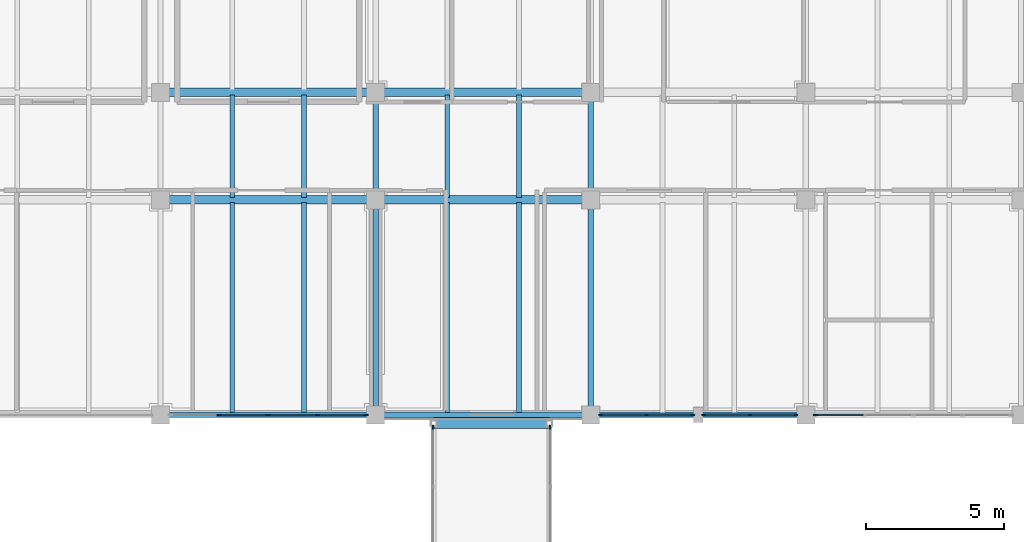
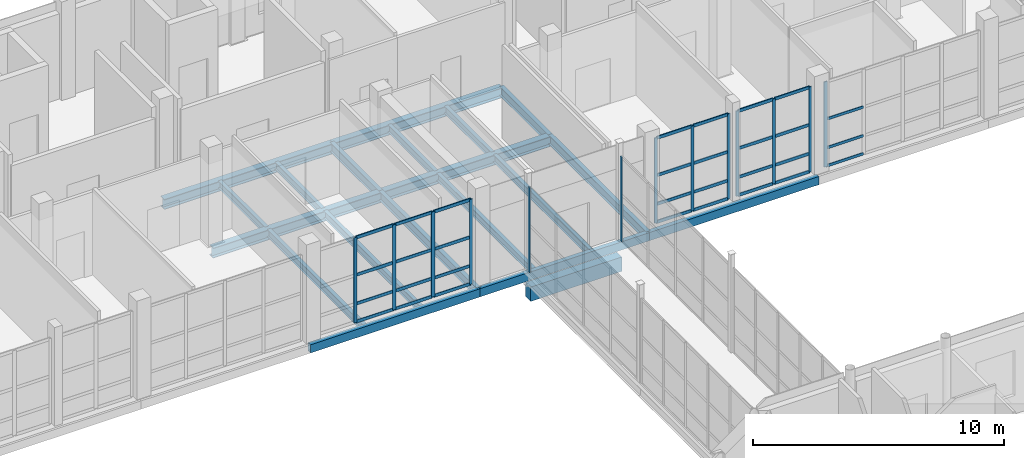
# One storey, part 53 of 131: 44 members, 20 beams, 6 elements without a shape of their own.
"""IFC4 building model written with IfcOpenShell, lengths in metres."""

from ifc_helpers import new_model, si_unit, direction, frame, origin, origin_2d, place, context, subcontext, project, spatial, rectangle, hollow_rectangle, i_section, extrude, material, layer, layer_set, material_profile, profile_set, type_object, element, aggregate, save


model = new_model("IFC4")

# Units and contexts
model_context = context("Model", 3, precision=1e-05, world=origin(), true_north=direction((0.0, 1.0)))
body_context = subcontext(model_context, "Body", "Model", "MODEL_VIEW")
ifc_project = project(units=[si_unit("LENGTHUNIT", "METRE"), si_unit("AREAUNIT", "SQUARE_METRE"), si_unit("VOLUMEUNIT", "CUBIC_METRE"), si_unit("PLANEANGLEUNIT", "RADIAN"), si_unit("MASSUNIT", "GRAM", prefix="KILO")], contexts=[model_context])

# Site, building, storey
site_placement = place(None, origin())
site = spatial("IfcSite", under=ifc_project, at=site_placement, CompositionType="ELEMENT")
building_placement = place(site_placement, origin())
building = spatial("IfcBuilding", under=site, at=building_placement, Name="Celorna Specialist Clinic", CompositionType="ELEMENT")
storey_placement = place(building_placement, origin())
storey = spatial("IfcBuildingStorey", under=building, at=storey_placement, Name="L00", CompositionType="ELEMENT", Elevation=0.0)

# Beams
ifc_material_1 = material(Name="Steel S355", Category="steel")
ifc_material_profile_1 = material_profile(ifc_material_1, i_section(OverallWidth=0.18994140625, OverallDepth=0.449951171875, WebThickness=0.009521484375, FlangeThickness=0.0146484375, at=origin_2d()), Name="IPE 450")
ifc_profile_set_1 = profile_set([ifc_material_profile_1], Name="Steel S355")
beam_type_1 = type_object("IfcBeamType", Name="BM-09", PredefinedType="BEAM", material=ifc_profile_set_1)
beam_1_placement = place(storey_placement, frame((70.199951171875, 96.5, -0.52490234375), z_axis=(0.0, 1.0, 0.0), x_axis=(-1.0, 0.0, 0.0)))
element("IfcBeam", 1, at=beam_1_placement, inside=storey, type_object=beam_type_1, Name="Transverse girder BM-09 #739", PredefinedType="BEAM", context=body_context, shape_type="SweptSolid", body=[
    extrude(i_section(OverallWidth=0.18994140625, OverallDepth=0.449951171875, WebThickness=0.009521484375, FlangeThickness=0.0146484375, at=origin_2d()), origin(), (0.0, 0.0, 1.0), 7.800048828125),
])
beam_2_placement = place(storey_placement, frame((70.199951171875, 104.300048828125, -0.52490234375), z_axis=(0.0, 1.0, 0.0), x_axis=(-1.0, 0.0, 0.0)))
element("IfcBeam", 2, at=beam_2_placement, inside=storey, type_object=beam_type_1, Name="Transverse girder BM-09 #740", PredefinedType="BEAM", context=body_context, shape_type="SweptSolid", body=[
    extrude(i_section(OverallWidth=0.18994140625, OverallDepth=0.449951171875, WebThickness=0.009521484375, FlangeThickness=0.0146484375, at=origin_2d()), origin(), (0.0, 0.0, 1.0), 3.89990234375),
])
beam_3_placement = place(storey_placement, frame((78.0, 96.5, -0.52490234375), z_axis=(0.0, 1.0, 0.0), x_axis=(-1.0, 0.0, 0.0)))
element("IfcBeam", 3, at=beam_3_placement, inside=storey, type_object=beam_type_1, Name="Transverse girder BM-09 #742", PredefinedType="BEAM", context=body_context, shape_type="SweptSolid", body=[
    extrude(i_section(OverallWidth=0.18994140625, OverallDepth=0.449951171875, WebThickness=0.009521484375, FlangeThickness=0.0146484375, at=origin_2d()), origin(), (0.0, 0.0, 1.0), 7.800048828125),
])
beam_4_placement = place(storey_placement, frame((78.0, 104.300048828125, -0.52490234375), z_axis=(0.0, 1.0, 0.0), x_axis=(-1.0, 0.0, 0.0)))
element("IfcBeam", 4, at=beam_4_placement, inside=storey, type_object=beam_type_1, Name="Transverse girder BM-09 #743", PredefinedType="BEAM", context=body_context, shape_type="SweptSolid", body=[
    extrude(i_section(OverallWidth=0.18994140625, OverallDepth=0.449951171875, WebThickness=0.009521484375, FlangeThickness=0.0146484375, at=origin_2d()), origin(), (0.0, 0.0, 1.0), 3.89990234375),
])
ifc_material_profile_2 = material_profile(ifc_material_1, i_section(OverallWidth=0.169921875, OverallDepth=0.360107421875, WebThickness=0.008056640625, FlangeThickness=0.0126953125, at=origin_2d()), Name="IPE 360")
ifc_profile_set_2 = profile_set([ifc_material_profile_2], Name="Steel S355")
beam_type_2 = type_object("IfcBeamType", Name="BM-11", PredefinedType="JOIST", material=ifc_profile_set_2)
for number, where, z_axis, x_axis, name in (
    (5, (65.0, 96.587890625, -0.47998046875), (0.0, 1.0, 0.0), (-1.0, 0.0, 0.0), "Secondary floor joist BM-11 #791"),
    (6, (67.60009765625, 96.587890625, -0.47998046875), (0.0, 1.0, 0.0), (-1.0, 0.0, 0.0), "Secondary floor joist BM-11 #792"),
):
    element("IfcBeam", number, at=place(storey_placement, frame(where, z_axis=z_axis, x_axis=x_axis)), inside=storey, type_object=beam_type_2, Name=name, PredefinedType="JOIST", context=body_context, shape_type="SweptSolid", body=[
        extrude(i_section(OverallWidth=0.169921875, OverallDepth=0.360107421875, WebThickness=0.008056640625, FlangeThickness=0.0126953125, at=origin_2d()), origin(), (0.0, 0.0, 1.0), 7.6240234375),
    ])
for number, where, z_axis, x_axis, name in (
    (7, (65.0, 104.387939453125, -0.47998046875), (0.0, 1.0, 0.0), (-1.0, 0.0, 0.0), "Secondary floor joist BM-11 #793"),
    (8, (67.60009765625, 104.387939453125, -0.47998046875), (0.0, 1.0, 0.0), (-1.0, 0.0, 0.0), "Secondary floor joist BM-11 #794"),
):
    element("IfcBeam", number, at=place(storey_placement, frame(where, z_axis=z_axis, x_axis=x_axis)), inside=storey, type_object=beam_type_2, Name=name, PredefinedType="JOIST", context=body_context, shape_type="SweptSolid", body=[
        extrude(i_section(OverallWidth=0.169921875, OverallDepth=0.360107421875, WebThickness=0.008056640625, FlangeThickness=0.0126953125, at=origin_2d()), origin(), (0.0, 0.0, 1.0), 3.72412109375),
    ])
for number, where, z_axis, x_axis, name in (
    (9, (72.800048828125, 96.587890625, -0.47998046875), (0.0, 1.0, 0.0), (-1.0, 0.0, 0.0), "Secondary floor joist BM-11 #797"),
    (10, (75.39990234375, 96.587890625, -0.47998046875), (0.0, 1.0, 0.0), (-1.0, 0.0, 0.0), "Secondary floor joist BM-11 #798"),
):
    element("IfcBeam", number, at=place(storey_placement, frame(where, z_axis=z_axis, x_axis=x_axis)), inside=storey, type_object=beam_type_2, Name=name, PredefinedType="JOIST", context=body_context, shape_type="SweptSolid", body=[
        extrude(i_section(OverallWidth=0.169921875, OverallDepth=0.360107421875, WebThickness=0.008056640625, FlangeThickness=0.0126953125, at=origin_2d()), origin(), (0.0, 0.0, 1.0), 7.6240234375),
    ])
for number, where, z_axis, x_axis, name in (
    (11, (72.800048828125, 104.387939453125, -0.47998046875), (0.0, 1.0, 0.0), (-1.0, 0.0, 0.0), "Secondary floor joist BM-11 #799"),
    (12, (75.39990234375, 104.387939453125, -0.47998046875), (0.0, 1.0, 0.0), (-1.0, 0.0, 0.0), "Secondary floor joist BM-11 #800"),
):
    element("IfcBeam", number, at=place(storey_placement, frame(where, z_axis=z_axis, x_axis=x_axis)), inside=storey, type_object=beam_type_2, Name=name, PredefinedType="JOIST", context=body_context, shape_type="SweptSolid", body=[
        extrude(i_section(OverallWidth=0.169921875, OverallDepth=0.360107421875, WebThickness=0.008056640625, FlangeThickness=0.0126953125, at=origin_2d()), origin(), (0.0, 0.0, 1.0), 3.72412109375),
    ])
ifc_material_profile_3 = material_profile(ifc_material_1, hollow_rectangle(XDim=0.199951171875, YDim=0.39990234375, WallThickness=0.011962890625, at=origin_2d()), Name="RHS 200x400x12")
ifc_profile_set_3 = profile_set([ifc_material_profile_3], Name="Steel S355")
beam_type_3 = type_object("IfcBeamType", Name="BM-15", PredefinedType="SPANDREL", material=ifc_profile_set_3)
for number, where, z_axis, x_axis, name in (
    (13, (62.39990234375, 96.5, -0.5), (1.0, 0.0, 0.0), (0.0, 1.0, 0.0), "Spandrel beam BM-15 #668"),
    (14, (70.199951171875, 96.5, -0.5), (1.0, 0.0, 0.0), (0.0, 1.0, 0.0), "Spandrel beam BM-15 #669"),
    (15, (78.0, 96.5, -0.5), (1.0, 0.0, 0.0), (0.0, 1.0, 0.0), "Spandrel beam BM-15 #670"),
):
    element("IfcBeam", number, at=place(storey_placement, frame(where, z_axis=z_axis, x_axis=x_axis)), inside=storey, type_object=beam_type_3, Name=name, PredefinedType="SPANDREL", context=body_context, shape_type="SweptSolid", body=[
        extrude(hollow_rectangle(XDim=0.199951171875, YDim=0.39990234375, WallThickness=0.011962890625, at=origin_2d()), origin(), (0.0, 0.0, 1.0), 7.800048828125),
    ])
ifc_material_2 = material(Name="Concrete C35/45", Category="concrete")
ifc_material_profile_4 = material_profile(ifc_material_2, rectangle(XDim=0.39990234375, YDim=0.699951171875, at=origin_2d()), Name="RC 400x700")
ifc_profile_set_4 = profile_set([ifc_material_profile_4], Name="Concrete C35/45")
beam_type_4 = type_object("IfcBeamType", Name="BM-19", PredefinedType="BEAM", material=ifc_profile_set_4)
beam_5_placement = place(storey_placement, frame((72.300048828125, 96.199951171875, -1.06494140625), z_axis=(1.0, 0.0, 0.0), x_axis=(0.0, 1.0, 0.0)))
element("IfcBeam", 16, at=beam_5_placement, inside=storey, type_object=beam_type_4, Name="Seismic joint bridge corbel beam BR-04 BM-19 #96", PredefinedType="BEAM", context=body_context, shape_type="SweptSolid", body=[
    extrude(rectangle(XDim=0.39990234375, YDim=0.699951171875, at=origin_2d()), origin(), (0.0, 0.0, 1.0), 4.199951171875),
])
ifc_material_profile_5 = material_profile(ifc_material_1, i_section(OverallWidth=0.300048828125, OverallDepth=0.489990234375, WebThickness=0.011962890625, FlangeThickness=0.02294921875, at=origin_2d()), Name="HE 500 A")
ifc_profile_set_5 = profile_set([ifc_material_profile_5], Name="Steel S355")
beam_type_5 = type_object("IfcBeamType", Name="BM-22", PredefinedType="BEAM", material=ifc_profile_set_5)
for number, where, z_axis, x_axis, name in (
    (17, (62.39990234375, 104.300048828125, -0.544921875), (1.0, 0.0, 0.0), (0.0, 1.0, 0.0), "Primary girder BM-22 #684"),
    (18, (70.199951171875, 104.300048828125, -0.544921875), (1.0, 0.0, 0.0), (0.0, 1.0, 0.0), "Primary girder BM-22 #685"),
    (19, (62.39990234375, 108.199951171875, -0.544921875), (1.0, 0.0, 0.0), (0.0, 1.0, 0.0), "Primary girder BM-22 #700"),
    (20, (70.199951171875, 108.199951171875, -0.544921875), (1.0, 0.0, 0.0), (0.0, 1.0, 0.0), "Primary girder BM-22 #701"),
):
    element("IfcBeam", number, at=place(storey_placement, frame(where, z_axis=z_axis, x_axis=x_axis)), inside=storey, type_object=beam_type_5, Name=name, PredefinedType="BEAM", context=body_context, shape_type="SweptSolid", body=[
        extrude(i_section(OverallWidth=0.300048828125, OverallDepth=0.489990234375, WebThickness=0.011962890625, FlangeThickness=0.02294921875, at=origin_2d()), origin(), (0.0, 0.0, 1.0), 7.800048828125),
    ])

# Curtain wall, members
ifc_material_3 = material(Name="Thermally broken aluminium and solar-control glass curtain wall", Category="aluminium")
ifc_layer_1 = layer(ifc_material_3, 0.159912109375, Name="Thermally broken aluminium and solar-control glass curtain wall")
ifc_layer_set_1 = layer_set([ifc_layer_1], Name="Thermally broken aluminium and solar-control glass curtain wall")
curtain_wall_type_1 = type_object("IfcCurtainWallType", Name="CW-48", PredefinedType="NOTDEFINED", material=ifc_layer_set_1)
curtain_wall_1_placement = place(storey_placement, origin())
curtain_wall_1 = element("IfcCurtainWall", 21, at=curtain_wall_1_placement, inside=storey, type_object=curtain_wall_type_1, Name="Curtain wall CW-48 #89", PredefinedType="NOTDEFINED")
ifc_material_4 = material(Name="Anodized aluminium mullion", Category="aluminium")
ifc_material_profile_6 = material_profile(ifc_material_4, rectangle(XDim=0.050048828125, YDim=0.159912109375, at=origin_2d()), Name="ALU MULLION 50x160")
ifc_profile_set_6 = profile_set([ifc_material_profile_6], Name="Anodized aluminium mullion")
member_type_1 = type_object("IfcMemberType", Name="ML-01", PredefinedType="MULLION", material=ifc_profile_set_6)
member_1_placement = place(storey_placement, frame((69.845947265625, 96.5, 0.0), z_axis=(0.0, 0.0, 1.0), x_axis=(0.0, -1.0, 0.0)))
member_1 = element("IfcMember", 22, at=member_1_placement, type_object=member_type_1, Name="CW-48 mullion 1", PredefinedType="MULLION", context=body_context, shape_type="SweptSolid", body=[
    extrude(rectangle(XDim=0.050048828125, YDim=0.159912109375, at=origin_2d()), origin(), (0.0, 0.0, 1.0), 4.139892578125),
])
member_2_placement = place(storey_placement, frame((68.08544921875, 96.5, 0.0), z_axis=(0.0, 0.0, 1.0), x_axis=(0.0, -1.0, 0.0)))
member_2 = element("IfcMember", 23, at=member_2_placement, type_object=member_type_1, Name="CW-48 mullion 2", PredefinedType="MULLION", context=body_context, shape_type="SweptSolid", body=[
    extrude(rectangle(XDim=0.050048828125, YDim=0.159912109375, at=origin_2d()), origin(), (0.0, 0.0, 1.0), 4.139892578125),
])
member_3_placement = place(storey_placement, frame((66.300048828125, 96.5, 0.0), z_axis=(0.0, 0.0, 1.0), x_axis=(0.0, -1.0, 0.0)))
member_3 = element("IfcMember", 24, at=member_3_placement, type_object=member_type_1, Name="CW-48 mullion 3", PredefinedType="MULLION", context=body_context, shape_type="SweptSolid", body=[
    extrude(rectangle(XDim=0.050048828125, YDim=0.159912109375, at=origin_2d()), origin(), (0.0, 0.0, 1.0), 4.139892578125),
])
member_4_placement = place(storey_placement, frame((64.514404296875, 96.5, 0.0), z_axis=(0.0, 0.0, 1.0), x_axis=(0.0, -1.0, 0.0)))
member_4 = element("IfcMember", 25, at=member_4_placement, type_object=member_type_1, Name="CW-48 mullion 4", PredefinedType="MULLION", context=body_context, shape_type="SweptSolid", body=[
    extrude(rectangle(XDim=0.050048828125, YDim=0.159912109375, at=origin_2d()), origin(), (0.0, 0.0, 1.0), 4.139892578125),
])

# Curtain wall, member
curtain_wall_2_placement = place(storey_placement, origin())
curtain_wall_2 = element("IfcCurtainWall", 26, at=curtain_wall_2_placement, inside=storey, type_object=curtain_wall_type_1, Name="Curtain wall CW-48 #92", PredefinedType="NOTDEFINED")
member_5_placement = place(storey_placement, frame((86.154052734375, 96.5, 0.0), z_axis=(0.0, 0.0, 1.0), x_axis=(0.0, -1.0, 0.0)))
member_5 = element("IfcMember", 27, at=member_5_placement, type_object=member_type_1, Name="CW-48 mullion 5", PredefinedType="MULLION", context=body_context, shape_type="SweptSolid", body=[
    extrude(rectangle(XDim=0.050048828125, YDim=0.159912109375, at=origin_2d()), origin(), (0.0, 0.0, 1.0), 4.139892578125),
])

# Curtain wall, members
ifc_layer_2 = layer(ifc_material_3, 0.159912109375, Name="Thermally broken aluminium and solar-control glass curtain wall")
ifc_layer_set_2 = layer_set([ifc_layer_2], Name="Thermally broken aluminium and solar-control glass curtain wall")
curtain_wall_type_2 = type_object("IfcCurtainWallType", Name="CW-49", PredefinedType="NOTDEFINED", material=ifc_layer_set_2)
curtain_wall_3_placement = place(storey_placement, origin())
curtain_wall_3 = element("IfcCurtainWall", 28, at=curtain_wall_3_placement, inside=storey, type_object=curtain_wall_type_2, Name="Curtain wall CW-49 #90", PredefinedType="NOTDEFINED")
ifc_material_profile_7 = material_profile(ifc_material_4, rectangle(XDim=0.050048828125, YDim=0.139892578125, at=origin_2d()), Name="ALU MULLION 50x140")
ifc_profile_set_7 = profile_set([ifc_material_profile_7], Name="Anodized aluminium mullion")
member_type_2 = type_object("IfcMemberType", Name="ML-03", PredefinedType="MULLION", material=ifc_profile_set_7)
member_6_placement = place(storey_placement, frame((85.446044921875, 96.5, 0.0), z_axis=(0.0, 0.0, 1.0), x_axis=(0.0, -1.0, 0.0)))
member_6 = element("IfcMember", 29, at=member_6_placement, type_object=member_type_2, Name="CW-49 mullion 1", PredefinedType="MULLION", context=body_context, shape_type="SweptSolid", body=[
    extrude(rectangle(XDim=0.050048828125, YDim=0.139892578125, at=origin_2d()), origin(), (0.0, 0.0, 1.0), 4.139892578125),
])
member_7_placement = place(storey_placement, frame((83.77490234375, 96.5, 0.0), z_axis=(0.0, 0.0, 1.0), x_axis=(0.0, -1.0, 0.0)))
member_7 = element("IfcMember", 30, at=member_7_placement, type_object=member_type_2, Name="CW-49 mullion 2", PredefinedType="MULLION", context=body_context, shape_type="SweptSolid", body=[
    extrude(rectangle(XDim=0.050048828125, YDim=0.139892578125, at=origin_2d()), origin(), (0.0, 0.0, 1.0), 4.139892578125),
])
member_8_placement = place(storey_placement, frame((82.10400390625, 96.5, 0.0), z_axis=(0.0, 0.0, 1.0), x_axis=(0.0, -1.0, 0.0)))
member_8 = element("IfcMember", 31, at=member_8_placement, type_object=member_type_2, Name="CW-49 mullion 3", PredefinedType="MULLION", context=body_context, shape_type="SweptSolid", body=[
    extrude(rectangle(XDim=0.050048828125, YDim=0.139892578125, at=origin_2d()), origin(), (0.0, 0.0, 1.0), 4.139892578125),
])

curtain_wall_4_placement = place(storey_placement, origin())
curtain_wall_4 = element("IfcCurtainWall", 32, at=curtain_wall_4_placement, inside=storey, type_object=curtain_wall_type_2, Name="Curtain wall CW-49 #91", PredefinedType="NOTDEFINED")
member_9_placement = place(storey_placement, frame((81.696044921875, 96.5, 0.0), z_axis=(0.0, 0.0, 1.0), x_axis=(0.0, -1.0, 0.0)))
member_9 = element("IfcMember", 33, at=member_9_placement, type_object=member_type_2, Name="CW-49 mullion 1", PredefinedType="MULLION", context=body_context, shape_type="SweptSolid", body=[
    extrude(rectangle(XDim=0.050048828125, YDim=0.139892578125, at=origin_2d()), origin(), (0.0, 0.0, 1.0), 4.139892578125),
])
member_10_placement = place(storey_placement, frame((80.02490234375, 96.5, 0.0), z_axis=(0.0, 0.0, 1.0), x_axis=(0.0, -1.0, 0.0)))
member_10 = element("IfcMember", 34, at=member_10_placement, type_object=member_type_2, Name="CW-49 mullion 2", PredefinedType="MULLION", context=body_context, shape_type="SweptSolid", body=[
    extrude(rectangle(XDim=0.050048828125, YDim=0.139892578125, at=origin_2d()), origin(), (0.0, 0.0, 1.0), 4.139892578125),
])
member_11_placement = place(storey_placement, frame((78.35400390625, 96.5, 0.0), z_axis=(0.0, 0.0, 1.0), x_axis=(0.0, -1.0, 0.0)))
member_11 = element("IfcMember", 35, at=member_11_placement, type_object=member_type_2, Name="CW-49 mullion 3", PredefinedType="MULLION", context=body_context, shape_type="SweptSolid", body=[
    extrude(rectangle(XDim=0.050048828125, YDim=0.139892578125, at=origin_2d()), origin(), (0.0, 0.0, 1.0), 4.139892578125),
])

# Curtain wall, member
ifc_layer_3 = layer(ifc_material_3, 0.159912109375, Name="Thermally broken aluminium and solar-control glass curtain wall")
ifc_layer_set_3 = layer_set([ifc_layer_3], Name="Thermally broken aluminium and solar-control glass curtain wall")
curtain_wall_type_3 = type_object("IfcCurtainWallType", Name="CW-114", PredefinedType="NOTDEFINED", material=ifc_layer_set_3)
curtain_wall_5_placement = place(storey_placement, origin())
curtain_wall_5 = element("IfcCurtainWall", 36, at=curtain_wall_5_placement, inside=storey, type_object=curtain_wall_type_3, Name="Curtain wall CW-114 #207", PredefinedType="NOTDEFINED")
member_12_placement = place(storey_placement, frame((72.280029296875, 96.054931640625, 0.0), z_axis=(0.0, 0.0, 1.0), x_axis=(-1.0, 0.0, 0.0)))
member_12 = element("IfcMember", 37, at=member_12_placement, type_object=member_type_2, Name="CW-114 mullion 5", PredefinedType="MULLION", context=body_context, shape_type="SweptSolid", body=[
    extrude(rectangle(XDim=0.050048828125, YDim=0.139892578125, at=origin_2d()), origin(), (0.0, 0.0, 1.0), 4.1298828125),
])
aggregate(curtain_wall_5, [member_12])

curtain_wall_6_placement = place(storey_placement, origin())
curtain_wall_6 = element("IfcCurtainWall", 38, at=curtain_wall_6_placement, inside=storey, type_object=curtain_wall_type_3, Name="Curtain wall CW-114 #208", PredefinedType="NOTDEFINED")
member_13_placement = place(storey_placement, frame((76.52001953125, 96.054931640625, 0.0), z_axis=(0.0, 0.0, 1.0), x_axis=(1.0, 0.0, 0.0)))
member_13 = element("IfcMember", 39, at=member_13_placement, type_object=member_type_2, Name="CW-114 mullion 1", PredefinedType="MULLION", context=body_context, shape_type="SweptSolid", body=[
    extrude(rectangle(XDim=0.050048828125, YDim=0.139892578125, at=origin_2d()), origin(), (0.0, 0.0, 1.0), 4.1298828125),
])
aggregate(curtain_wall_6, [member_13])

# Member
ifc_material_5 = material(Name="Anodized aluminium transom", Category="aluminium")
ifc_material_profile_8 = material_profile(ifc_material_5, rectangle(XDim=0.050048828125, YDim=0.1298828125, at=origin_2d()), Name="ALU TRANSOM 50x130")
ifc_profile_set_8 = profile_set([ifc_material_profile_8], Name="Anodized aluminium transom")
member_type_3 = type_object("IfcMemberType", Name="TR-01", PredefinedType="USERDEFINED", material=ifc_profile_set_8)
member_14_placement = place(storey_placement, frame((87.889404296875, 96.5, 0.02490234375), z_axis=(-1.0, 0.0, 0.0), x_axis=(0.0, -1.0, 0.0)))
member_14 = element("IfcMember", 40, at=member_14_placement, type_object=member_type_3, Name="CW-48 transom 4.1", ObjectType="TRANSOM", PredefinedType="USERDEFINED", context=body_context, shape_type="SweptSolid", body=[
    extrude(rectangle(XDim=0.050048828125, YDim=0.1298828125, at=origin_2d()), origin(), (0.0, 0.0, 1.0), 1.71044921875),
])

member_15_placement = place(storey_placement, frame((87.889404296875, 96.5, 0.89990234375), z_axis=(-1.0, 0.0, 0.0), x_axis=(0.0, -1.0, 0.0)))
member_15 = element("IfcMember", 41, at=member_15_placement, type_object=member_type_3, Name="CW-48 transom 4.2", ObjectType="TRANSOM", PredefinedType="USERDEFINED", context=body_context, shape_type="SweptSolid", body=[
    extrude(rectangle(XDim=0.050048828125, YDim=0.1298828125, at=origin_2d()), origin(), (0.0, 0.0, 1.0), 1.71044921875),
])

member_16_placement = place(storey_placement, frame((87.889404296875, 96.5, 2.300048828125), z_axis=(-1.0, 0.0, 0.0), x_axis=(0.0, -1.0, 0.0)))
member_16 = element("IfcMember", 42, at=member_16_placement, type_object=member_type_3, Name="CW-48 transom 4.3", ObjectType="TRANSOM", PredefinedType="USERDEFINED", context=body_context, shape_type="SweptSolid", body=[
    extrude(rectangle(XDim=0.050048828125, YDim=0.1298828125, at=origin_2d()), origin(), (0.0, 0.0, 1.0), 1.71044921875),
])

aggregate(curtain_wall_2, [member_5, member_14, member_15, member_16])

ifc_material_profile_9 = material_profile(ifc_material_5, rectangle(XDim=0.050048828125, YDim=0.14990234375, at=origin_2d()), Name="ALU TRANSOM 50x150")
ifc_profile_set_9 = profile_set([ifc_material_profile_9], Name="Anodized aluminium transom")
member_type_4 = type_object("IfcMemberType", Name="TR-02", PredefinedType="USERDEFINED", material=ifc_profile_set_9)
member_17_placement = place(storey_placement, frame((69.821044921875, 96.5, 0.02490234375), z_axis=(-1.0, 0.0, 0.0), x_axis=(0.0, -1.0, 0.0)))
member_17 = element("IfcMember", 43, at=member_17_placement, type_object=member_type_4, Name="CW-48 transom 1.1", ObjectType="TRANSOM", PredefinedType="USERDEFINED", context=body_context, shape_type="SweptSolid", body=[
    extrude(rectangle(XDim=0.050048828125, YDim=0.14990234375, at=origin_2d()), origin(), (0.0, 0.0, 1.0), 1.71044921875),
])

member_18_placement = place(storey_placement, frame((69.821044921875, 96.5, 0.89990234375), z_axis=(-1.0, 0.0, 0.0), x_axis=(0.0, -1.0, 0.0)))
member_18 = element("IfcMember", 44, at=member_18_placement, type_object=member_type_4, Name="CW-48 transom 1.2", ObjectType="TRANSOM", PredefinedType="USERDEFINED", context=body_context, shape_type="SweptSolid", body=[
    extrude(rectangle(XDim=0.050048828125, YDim=0.14990234375, at=origin_2d()), origin(), (0.0, 0.0, 1.0), 1.71044921875),
])

member_19_placement = place(storey_placement, frame((69.821044921875, 96.5, 2.300048828125), z_axis=(-1.0, 0.0, 0.0), x_axis=(0.0, -1.0, 0.0)))
member_19 = element("IfcMember", 45, at=member_19_placement, type_object=member_type_4, Name="CW-48 transom 1.3", ObjectType="TRANSOM", PredefinedType="USERDEFINED", context=body_context, shape_type="SweptSolid", body=[
    extrude(rectangle(XDim=0.050048828125, YDim=0.14990234375, at=origin_2d()), origin(), (0.0, 0.0, 1.0), 1.71044921875),
])

member_20_placement = place(storey_placement, frame((69.821044921875, 96.5, 4.114990234375), z_axis=(-1.0, 0.0, 0.0), x_axis=(0.0, -1.0, 0.0)))
member_20 = element("IfcMember", 46, at=member_20_placement, type_object=member_type_4, Name="CW-48 transom 1.4", ObjectType="TRANSOM", PredefinedType="USERDEFINED", context=body_context, shape_type="SweptSolid", body=[
    extrude(rectangle(XDim=0.050048828125, YDim=0.14990234375, at=origin_2d()), origin(), (0.0, 0.0, 1.0), 1.71044921875),
])

member_21_placement = place(storey_placement, frame((68.060546875, 96.5, 0.02490234375), z_axis=(-1.0, 0.0, 0.0), x_axis=(0.0, -1.0, 0.0)))
member_21 = element("IfcMember", 47, at=member_21_placement, type_object=member_type_4, Name="CW-48 transom 2.1", ObjectType="TRANSOM", PredefinedType="USERDEFINED", context=body_context, shape_type="SweptSolid", body=[
    extrude(rectangle(XDim=0.050048828125, YDim=0.14990234375, at=origin_2d()), origin(), (0.0, 0.0, 1.0), 1.735595703125),
])

member_22_placement = place(storey_placement, frame((68.060546875, 96.5, 0.89990234375), z_axis=(-1.0, 0.0, 0.0), x_axis=(0.0, -1.0, 0.0)))
member_22 = element("IfcMember", 48, at=member_22_placement, type_object=member_type_4, Name="CW-48 transom 2.2", ObjectType="TRANSOM", PredefinedType="USERDEFINED", context=body_context, shape_type="SweptSolid", body=[
    extrude(rectangle(XDim=0.050048828125, YDim=0.14990234375, at=origin_2d()), origin(), (0.0, 0.0, 1.0), 1.735595703125),
])

member_23_placement = place(storey_placement, frame((68.060546875, 96.5, 2.300048828125), z_axis=(-1.0, 0.0, 0.0), x_axis=(0.0, -1.0, 0.0)))
member_23 = element("IfcMember", 49, at=member_23_placement, type_object=member_type_4, Name="CW-48 transom 2.3", ObjectType="TRANSOM", PredefinedType="USERDEFINED", context=body_context, shape_type="SweptSolid", body=[
    extrude(rectangle(XDim=0.050048828125, YDim=0.14990234375, at=origin_2d()), origin(), (0.0, 0.0, 1.0), 1.735595703125),
])

member_24_placement = place(storey_placement, frame((68.060546875, 96.5, 4.114990234375), z_axis=(-1.0, 0.0, 0.0), x_axis=(0.0, -1.0, 0.0)))
member_24 = element("IfcMember", 50, at=member_24_placement, type_object=member_type_4, Name="CW-48 transom 2.4", ObjectType="TRANSOM", PredefinedType="USERDEFINED", context=body_context, shape_type="SweptSolid", body=[
    extrude(rectangle(XDim=0.050048828125, YDim=0.14990234375, at=origin_2d()), origin(), (0.0, 0.0, 1.0), 1.735595703125),
])

member_25_placement = place(storey_placement, frame((66.27490234375, 96.5, 0.02490234375), z_axis=(-1.0, 0.0, 0.0), x_axis=(0.0, -1.0, 0.0)))
member_25 = element("IfcMember", 51, at=member_25_placement, type_object=member_type_4, Name="CW-48 transom 3.1", ObjectType="TRANSOM", PredefinedType="USERDEFINED", context=body_context, shape_type="SweptSolid", body=[
    extrude(rectangle(XDim=0.050048828125, YDim=0.14990234375, at=origin_2d()), origin(), (0.0, 0.0, 1.0), 1.7353515625),
])

member_26_placement = place(storey_placement, frame((66.27490234375, 96.5, 0.89990234375), z_axis=(-1.0, 0.0, 0.0), x_axis=(0.0, -1.0, 0.0)))
member_26 = element("IfcMember", 52, at=member_26_placement, type_object=member_type_4, Name="CW-48 transom 3.2", ObjectType="TRANSOM", PredefinedType="USERDEFINED", context=body_context, shape_type="SweptSolid", body=[
    extrude(rectangle(XDim=0.050048828125, YDim=0.14990234375, at=origin_2d()), origin(), (0.0, 0.0, 1.0), 1.7353515625),
])

member_27_placement = place(storey_placement, frame((66.27490234375, 96.5, 2.300048828125), z_axis=(-1.0, 0.0, 0.0), x_axis=(0.0, -1.0, 0.0)))
member_27 = element("IfcMember", 53, at=member_27_placement, type_object=member_type_4, Name="CW-48 transom 3.3", ObjectType="TRANSOM", PredefinedType="USERDEFINED", context=body_context, shape_type="SweptSolid", body=[
    extrude(rectangle(XDim=0.050048828125, YDim=0.14990234375, at=origin_2d()), origin(), (0.0, 0.0, 1.0), 1.7353515625),
])

member_28_placement = place(storey_placement, frame((66.27490234375, 96.5, 4.114990234375), z_axis=(-1.0, 0.0, 0.0), x_axis=(0.0, -1.0, 0.0)))
member_28 = element("IfcMember", 54, at=member_28_placement, type_object=member_type_4, Name="CW-48 transom 3.4", ObjectType="TRANSOM", PredefinedType="USERDEFINED", context=body_context, shape_type="SweptSolid", body=[
    extrude(rectangle(XDim=0.050048828125, YDim=0.14990234375, at=origin_2d()), origin(), (0.0, 0.0, 1.0), 1.7353515625),
])

aggregate(curtain_wall_1, [member_1, member_2, member_3, member_4, member_17, member_18, member_19, member_20, member_21, member_22, member_23, member_24, member_25, member_26, member_27, member_28])

member_29_placement = place(storey_placement, frame((85.4208984375, 96.5, 0.02490234375), z_axis=(-1.0, 0.0, 0.0), x_axis=(0.0, -1.0, 0.0)))
member_29 = element("IfcMember", 55, at=member_29_placement, type_object=member_type_4, Name="CW-49 transom 1.1", ObjectType="TRANSOM", PredefinedType="USERDEFINED", context=body_context, shape_type="SweptSolid", body=[
    extrude(rectangle(XDim=0.050048828125, YDim=0.14990234375, at=origin_2d()), origin(), (0.0, 0.0, 1.0), 1.620849609375),
])

member_30_placement = place(storey_placement, frame((85.4208984375, 96.5, 0.89990234375), z_axis=(-1.0, 0.0, 0.0), x_axis=(0.0, -1.0, 0.0)))
member_30 = element("IfcMember", 56, at=member_30_placement, type_object=member_type_4, Name="CW-49 transom 1.2", ObjectType="TRANSOM", PredefinedType="USERDEFINED", context=body_context, shape_type="SweptSolid", body=[
    extrude(rectangle(XDim=0.050048828125, YDim=0.14990234375, at=origin_2d()), origin(), (0.0, 0.0, 1.0), 1.620849609375),
])

member_31_placement = place(storey_placement, frame((85.4208984375, 96.5, 2.300048828125), z_axis=(-1.0, 0.0, 0.0), x_axis=(0.0, -1.0, 0.0)))
member_31 = element("IfcMember", 57, at=member_31_placement, type_object=member_type_4, Name="CW-49 transom 1.3", ObjectType="TRANSOM", PredefinedType="USERDEFINED", context=body_context, shape_type="SweptSolid", body=[
    extrude(rectangle(XDim=0.050048828125, YDim=0.14990234375, at=origin_2d()), origin(), (0.0, 0.0, 1.0), 1.620849609375),
])

member_32_placement = place(storey_placement, frame((85.4208984375, 96.5, 4.114990234375), z_axis=(-1.0, 0.0, 0.0), x_axis=(0.0, -1.0, 0.0)))
member_32 = element("IfcMember", 58, at=member_32_placement, type_object=member_type_4, Name="CW-49 transom 1.4", ObjectType="TRANSOM", PredefinedType="USERDEFINED", context=body_context, shape_type="SweptSolid", body=[
    extrude(rectangle(XDim=0.050048828125, YDim=0.14990234375, at=origin_2d()), origin(), (0.0, 0.0, 1.0), 1.620849609375),
])

member_33_placement = place(storey_placement, frame((83.75, 96.5, 0.02490234375), z_axis=(-1.0, 0.0, 0.0), x_axis=(0.0, -1.0, 0.0)))
member_33 = element("IfcMember", 59, at=member_33_placement, type_object=member_type_4, Name="CW-49 transom 2.1", ObjectType="TRANSOM", PredefinedType="USERDEFINED", context=body_context, shape_type="SweptSolid", body=[
    extrude(rectangle(XDim=0.050048828125, YDim=0.14990234375, at=origin_2d()), origin(), (0.0, 0.0, 1.0), 1.62109375),
])

member_34_placement = place(storey_placement, frame((83.75, 96.5, 0.89990234375), z_axis=(-1.0, 0.0, 0.0), x_axis=(0.0, -1.0, 0.0)))
member_34 = element("IfcMember", 60, at=member_34_placement, type_object=member_type_4, Name="CW-49 transom 2.2", ObjectType="TRANSOM", PredefinedType="USERDEFINED", context=body_context, shape_type="SweptSolid", body=[
    extrude(rectangle(XDim=0.050048828125, YDim=0.14990234375, at=origin_2d()), origin(), (0.0, 0.0, 1.0), 1.62109375),
])

member_35_placement = place(storey_placement, frame((83.75, 96.5, 2.300048828125), z_axis=(-1.0, 0.0, 0.0), x_axis=(0.0, -1.0, 0.0)))
member_35 = element("IfcMember", 61, at=member_35_placement, type_object=member_type_4, Name="CW-49 transom 2.3", ObjectType="TRANSOM", PredefinedType="USERDEFINED", context=body_context, shape_type="SweptSolid", body=[
    extrude(rectangle(XDim=0.050048828125, YDim=0.14990234375, at=origin_2d()), origin(), (0.0, 0.0, 1.0), 1.62109375),
])

member_36_placement = place(storey_placement, frame((83.75, 96.5, 4.114990234375), z_axis=(-1.0, 0.0, 0.0), x_axis=(0.0, -1.0, 0.0)))
member_36 = element("IfcMember", 62, at=member_36_placement, type_object=member_type_4, Name="CW-49 transom 2.4", ObjectType="TRANSOM", PredefinedType="USERDEFINED", context=body_context, shape_type="SweptSolid", body=[
    extrude(rectangle(XDim=0.050048828125, YDim=0.14990234375, at=origin_2d()), origin(), (0.0, 0.0, 1.0), 1.62109375),
])

aggregate(curtain_wall_3, [member_6, member_7, member_8, member_29, member_30, member_31, member_32, member_33, member_34, member_35, member_36])

member_37_placement = place(storey_placement, frame((81.6708984375, 96.5, 0.02490234375), z_axis=(-1.0, 0.0, 0.0), x_axis=(0.0, -1.0, 0.0)))
member_37 = element("IfcMember", 63, at=member_37_placement, type_object=member_type_4, Name="CW-49 transom 1.1", ObjectType="TRANSOM", PredefinedType="USERDEFINED", context=body_context, shape_type="SweptSolid", body=[
    extrude(rectangle(XDim=0.050048828125, YDim=0.14990234375, at=origin_2d()), origin(), (0.0, 0.0, 1.0), 1.620849609375),
])

member_38_placement = place(storey_placement, frame((81.6708984375, 96.5, 0.89990234375), z_axis=(-1.0, 0.0, 0.0), x_axis=(0.0, -1.0, 0.0)))
member_38 = element("IfcMember", 64, at=member_38_placement, type_object=member_type_4, Name="CW-49 transom 1.2", ObjectType="TRANSOM", PredefinedType="USERDEFINED", context=body_context, shape_type="SweptSolid", body=[
    extrude(rectangle(XDim=0.050048828125, YDim=0.14990234375, at=origin_2d()), origin(), (0.0, 0.0, 1.0), 1.620849609375),
])

member_39_placement = place(storey_placement, frame((81.6708984375, 96.5, 2.300048828125), z_axis=(-1.0, 0.0, 0.0), x_axis=(0.0, -1.0, 0.0)))
member_39 = element("IfcMember", 65, at=member_39_placement, type_object=member_type_4, Name="CW-49 transom 1.3", ObjectType="TRANSOM", PredefinedType="USERDEFINED", context=body_context, shape_type="SweptSolid", body=[
    extrude(rectangle(XDim=0.050048828125, YDim=0.14990234375, at=origin_2d()), origin(), (0.0, 0.0, 1.0), 1.620849609375),
])

member_40_placement = place(storey_placement, frame((81.6708984375, 96.5, 4.114990234375), z_axis=(-1.0, 0.0, 0.0), x_axis=(0.0, -1.0, 0.0)))
member_40 = element("IfcMember", 66, at=member_40_placement, type_object=member_type_4, Name="CW-49 transom 1.4", ObjectType="TRANSOM", PredefinedType="USERDEFINED", context=body_context, shape_type="SweptSolid", body=[
    extrude(rectangle(XDim=0.050048828125, YDim=0.14990234375, at=origin_2d()), origin(), (0.0, 0.0, 1.0), 1.620849609375),
])

member_41_placement = place(storey_placement, frame((80.0, 96.5, 0.02490234375), z_axis=(-1.0, 0.0, 0.0), x_axis=(0.0, -1.0, 0.0)))
member_41 = element("IfcMember", 67, at=member_41_placement, type_object=member_type_4, Name="CW-49 transom 2.1", ObjectType="TRANSOM", PredefinedType="USERDEFINED", context=body_context, shape_type="SweptSolid", body=[
    extrude(rectangle(XDim=0.050048828125, YDim=0.14990234375, at=origin_2d()), origin(), (0.0, 0.0, 1.0), 1.62109375),
])

member_42_placement = place(storey_placement, frame((80.0, 96.5, 0.89990234375), z_axis=(-1.0, 0.0, 0.0), x_axis=(0.0, -1.0, 0.0)))
member_42 = element("IfcMember", 68, at=member_42_placement, type_object=member_type_4, Name="CW-49 transom 2.2", ObjectType="TRANSOM", PredefinedType="USERDEFINED", context=body_context, shape_type="SweptSolid", body=[
    extrude(rectangle(XDim=0.050048828125, YDim=0.14990234375, at=origin_2d()), origin(), (0.0, 0.0, 1.0), 1.62109375),
])

member_43_placement = place(storey_placement, frame((80.0, 96.5, 2.300048828125), z_axis=(-1.0, 0.0, 0.0), x_axis=(0.0, -1.0, 0.0)))
member_43 = element("IfcMember", 69, at=member_43_placement, type_object=member_type_4, Name="CW-49 transom 2.3", ObjectType="TRANSOM", PredefinedType="USERDEFINED", context=body_context, shape_type="SweptSolid", body=[
    extrude(rectangle(XDim=0.050048828125, YDim=0.14990234375, at=origin_2d()), origin(), (0.0, 0.0, 1.0), 1.62109375),
])

member_44_placement = place(storey_placement, frame((80.0, 96.5, 4.114990234375), z_axis=(-1.0, 0.0, 0.0), x_axis=(0.0, -1.0, 0.0)))
member_44 = element("IfcMember", 70, at=member_44_placement, type_object=member_type_4, Name="CW-49 transom 2.4", ObjectType="TRANSOM", PredefinedType="USERDEFINED", context=body_context, shape_type="SweptSolid", body=[
    extrude(rectangle(XDim=0.050048828125, YDim=0.14990234375, at=origin_2d()), origin(), (0.0, 0.0, 1.0), 1.62109375),
])

aggregate(curtain_wall_4, [member_9, member_10, member_11, member_37, member_38, member_39, member_40, member_41, member_42, member_43, member_44])

save(model, "model.ifc")
